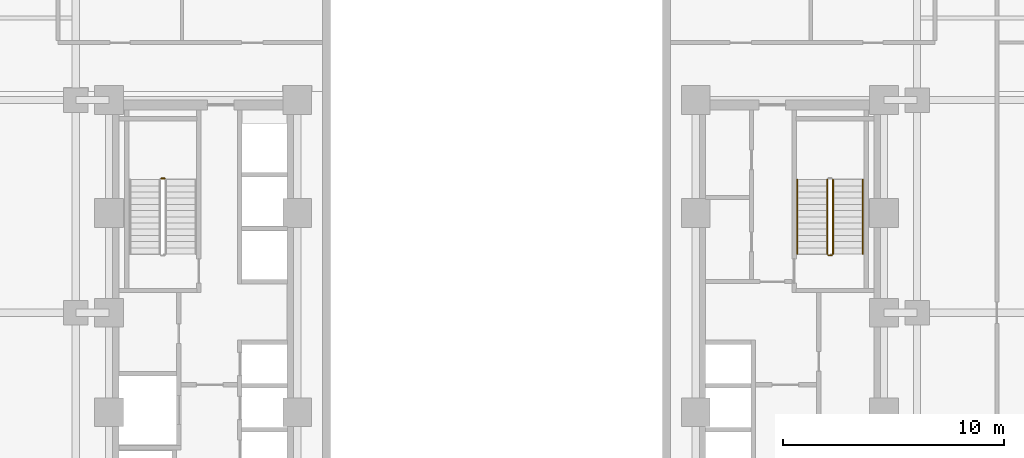
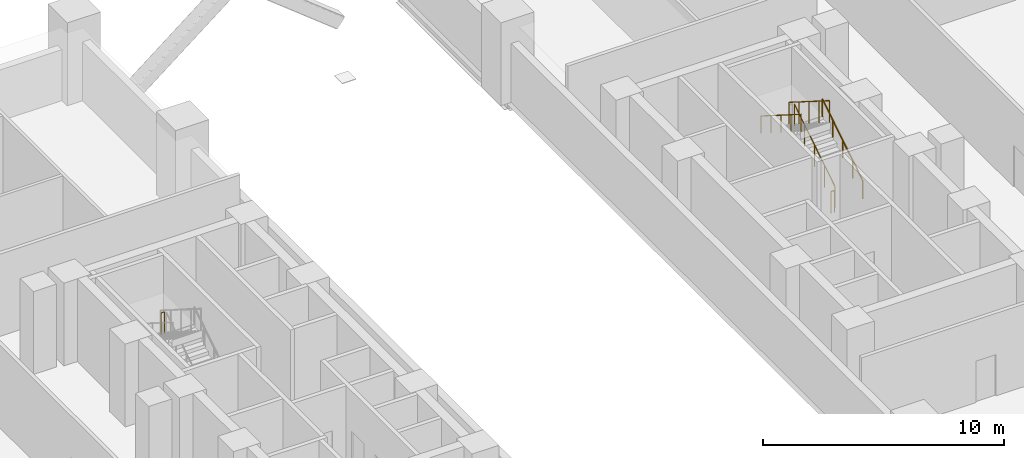
# One storey, part 12 of 14: 6 railings.
"""IFC4 building model written with IfcOpenShell, lengths in metres."""

from ifc_helpers import new_model, si_unit, direction, frame, origin, origin_2d, place, context, subcontext, project, spatial, circle, extrude, material, type_object, element, save


model = new_model("IFC4")

# Units and contexts
model_context = context("Model", 3, precision=1e-05, world=origin(), true_north=direction((0.0, 1.0)))
body_context = subcontext(model_context, "Body", "Model", "MODEL_VIEW")
ifc_project = project(units=[si_unit("LENGTHUNIT", "METRE"), si_unit("AREAUNIT", "SQUARE_METRE"), si_unit("VOLUMEUNIT", "CUBIC_METRE"), si_unit("PLANEANGLEUNIT", "RADIAN"), si_unit("MASSUNIT", "GRAM", prefix="KILO")], contexts=[model_context])

# Site, building, storey
site_placement = place(None, origin())
site = spatial("IfcSite", under=ifc_project, at=site_placement, CompositionType="ELEMENT")
building_placement = place(site_placement, origin())
building = spatial("IfcBuilding", under=site, at=building_placement, Name="Nuvemarco Arch Tower", CompositionType="ELEMENT")
storey_placement = place(building_placement, frame((0.0, 0.0, 13.800048828125)))
storey = spatial("IfcBuildingStorey", under=building, at=storey_placement, Name="L03", CompositionType="ELEMENT", Elevation=13.800048828125)

# Railings
ifc_material_1 = material(Name="Brushed stainless steel handrail", Category="steel")
railing_type_1 = type_object("IfcRailingType", Name="RL-HANDRAIL-900", PredefinedType="HANDRAIL", material=ifc_material_1)
railing_1_placement = place(storey_placement, frame((16.550048828125, 2.64990234375, 0.1767578125)))
element("IfcRailing", 1, at=railing_1_placement, inside=storey, type_object=railing_type_1, Name="L03 ST-2 stair handrail 1", PredefinedType="HANDRAIL", context=body_context, shape_type="SweptSolid", body=[
    extrude(circle(Radius=0.02392578125, at=origin_2d()), frame((0.0, 0.0, 0.8759765625), z_axis=(0.0, 0.845361898145, 0.534194029511), x_axis=(-1.0, 0.0, 0.0)), (0.0, 0.0, 1.0), 3.974853515625),
    extrude(circle(Radius=0.02099609375, at=origin_2d()), origin(), (0.0, 0.0, 1.0), 0.851806640625),
    extrude(circle(Radius=0.02099609375, at=origin_2d()), frame((0.0, 0.840087890625, 0.53076171875)), (0.0, 0.0, 1.0), 0.851806640625),
    extrude(circle(Radius=0.02099609375, at=origin_2d()), frame((0.0, 1.68017578125, 1.0615234375)), (0.0, 0.0, 1.0), 0.851806640625),
    extrude(circle(Radius=0.02099609375, at=origin_2d()), frame((0.0, 2.52001953125, 1.592529296875)), (0.0, 0.0, 1.0), 0.851806640625),
    extrude(circle(Radius=0.02099609375, at=origin_2d()), frame((0.0, 3.360107421875, 2.123291015625)), (0.0, 0.0, 1.0), 0.851806640625),
])
railing_2_placement = place(storey_placement, frame((13.590087890625, 6.010009765625, 2.476806640625)))
element("IfcRailing", 2, at=railing_2_placement, inside=storey, type_object=railing_type_1, Name="L03 ST-2 stair handrail 2", PredefinedType="HANDRAIL", context=body_context, shape_type="SweptSolid", body=[
    extrude(circle(Radius=0.02392578125, at=origin_2d()), frame((0.0, 0.0, 0.8759765625), z_axis=(0.0, -0.845389635667, 0.534150132366), x_axis=(1.0, 0.0, 0.0)), (0.0, 0.0, 1.0), 3.974609375),
    extrude(circle(Radius=0.02099609375, at=origin_2d()), origin(), (0.0, 0.0, 1.0), 0.851806640625),
    extrude(circle(Radius=0.02099609375, at=origin_2d()), frame((0.0, -0.840087890625, 0.53076171875)), (0.0, 0.0, 1.0), 0.851806640625),
    extrude(circle(Radius=0.02099609375, at=origin_2d()), frame((0.0, -1.68017578125, 1.0615234375)), (0.0, 0.0, 1.0), 0.851806640625),
    extrude(circle(Radius=0.02099609375, at=origin_2d()), frame((0.0, -2.52001953125, 1.59228515625)), (0.0, 0.0, 1.0), 0.851806640625),
    extrude(circle(Radius=0.02099609375, at=origin_2d()), frame((0.0, -3.360107421875, 2.123046875)), (0.0, 0.0, 1.0), 0.851806640625),
])
ifc_material_2 = material(Name="Painted balustrade steel S355", Category="steel")
railing_type_2 = type_object("IfcRailingType", Name="RL-STAIR-GUARD", PredefinedType="GUARDRAIL", material=ifc_material_2)
railing_3_placement = place(storey_placement, frame((-14.989990234375, 6.06005859375, 2.300048828125)))
element("IfcRailing", 3, at=railing_3_placement, inside=storey, type_object=railing_type_2, Name="L03 ST-1 stair guard 2", PredefinedType="GUARDRAIL", context=body_context, shape_type="SweptSolid", body=[
    extrude(circle(Radius=0.02392578125, at=origin_2d()), frame((0.0, 0.0, 1.09619140625), z_axis=(-1.0, 0.0, 0.0), x_axis=(0.0, -1.0, 0.0)), (0.0, 0.0, 1.0), 0.159912109375),
    extrude(circle(Radius=0.02099609375, at=origin_2d()), origin(), (0.0, 0.0, 1.0), 1.072021484375),
    extrude(circle(Radius=0.02099609375, at=origin_2d()), frame((-0.159912109375, 0.0, 0.0)), (0.0, 0.0, 1.0), 1.072021484375),
])
railing_4_placement = place(storey_placement, frame((15.199951171875, 2.64990234375, 0.1767578125)))
element("IfcRailing", 4, at=railing_4_placement, inside=storey, type_object=railing_type_2, Name="L03 ST-2 stair guard 1", PredefinedType="GUARDRAIL", context=body_context, shape_type="SweptSolid", body=[
    extrude(circle(Radius=0.02392578125, at=origin_2d()), frame((0.0, 0.0, 1.09619140625), z_axis=(0.0, 0.845361898145, 0.534194029511), x_axis=(-1.0, 0.0, 0.0)), (0.0, 0.0, 1.0), 3.974853515625),
    extrude(circle(Radius=0.02099609375, at=origin_2d()), origin(), (0.0, 0.0, 1.0), 1.072021484375),
    extrude(circle(Radius=0.02099609375, at=origin_2d()), frame((0.0, 0.840087890625, 0.53076171875)), (0.0, 0.0, 1.0), 1.072021484375),
    extrude(circle(Radius=0.02099609375, at=origin_2d()), frame((0.0, 1.68017578125, 1.0615234375)), (0.0, 0.0, 1.0), 1.072021484375),
    extrude(circle(Radius=0.02099609375, at=origin_2d()), frame((0.0, 2.52001953125, 1.592529296875)), (0.0, 0.0, 1.0), 1.072021484375),
    extrude(circle(Radius=0.02099609375, at=origin_2d()), frame((0.0, 3.360107421875, 2.123291015625)), (0.0, 0.0, 1.0), 1.072021484375),
])
railing_5_placement = place(storey_placement, frame((14.93994140625, 6.010009765625, 2.476806640625)))
element("IfcRailing", 5, at=railing_5_placement, inside=storey, type_object=railing_type_2, Name="L03 ST-2 stair guard 3", PredefinedType="GUARDRAIL", context=body_context, shape_type="SweptSolid", body=[
    extrude(circle(Radius=0.02392578125, at=origin_2d()), frame((0.0, 0.0, 1.09619140625), z_axis=(0.0, -0.845389635667, 0.534150132366), x_axis=(1.0, 0.0, 0.0)), (0.0, 0.0, 1.0), 3.974609375),
    extrude(circle(Radius=0.02099609375, at=origin_2d()), origin(), (0.0, 0.0, 1.0), 1.072021484375),
    extrude(circle(Radius=0.02099609375, at=origin_2d()), frame((0.0, -0.840087890625, 0.53076171875)), (0.0, 0.0, 1.0), 1.072021484375),
    extrude(circle(Radius=0.02099609375, at=origin_2d()), frame((0.0, -1.68017578125, 1.0615234375)), (0.0, 0.0, 1.0), 1.072021484375),
    extrude(circle(Radius=0.02099609375, at=origin_2d()), frame((0.0, -2.52001953125, 1.59228515625)), (0.0, 0.0, 1.0), 1.072021484375),
    extrude(circle(Radius=0.02099609375, at=origin_2d()), frame((0.0, -3.360107421875, 2.123046875)), (0.0, 0.0, 1.0), 1.072021484375),
])
railing_6_placement = place(storey_placement, frame((15.14990234375, 2.60009765625, 0.0)))
element("IfcRailing", 6, at=railing_6_placement, inside=storey, type_object=railing_type_2, Name="L03 ST-2 stair guard 4", PredefinedType="GUARDRAIL", context=body_context, shape_type="SweptSolid", body=[
    extrude(circle(Radius=0.02392578125, at=origin_2d()), frame((0.0, 0.0, 1.09619140625), z_axis=(-1.0, 0.0, 0.0), x_axis=(0.0, -1.0, 0.0)), (0.0, 0.0, 1.0), 0.159912109375),
    extrude(circle(Radius=0.02099609375, at=origin_2d()), origin(), (0.0, 0.0, 1.0), 1.072021484375),
    extrude(circle(Radius=0.02099609375, at=origin_2d()), frame((-0.159912109375, 0.0, 0.0)), (0.0, 0.0, 1.0), 1.072021484375),
])

save(model, "model.ifc")
